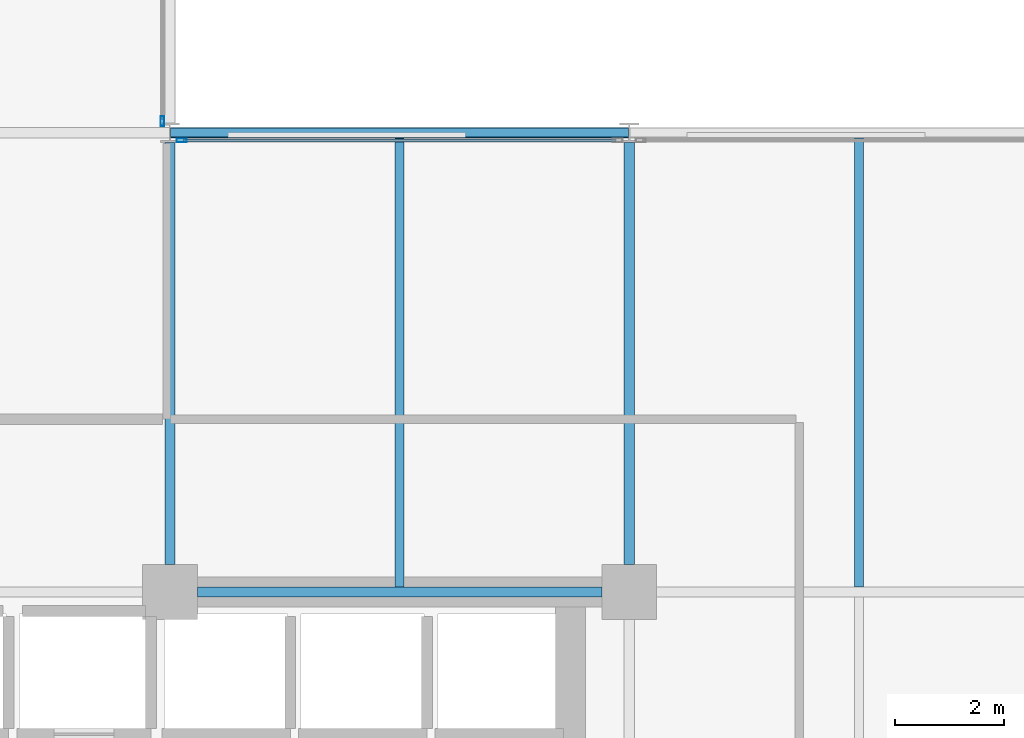
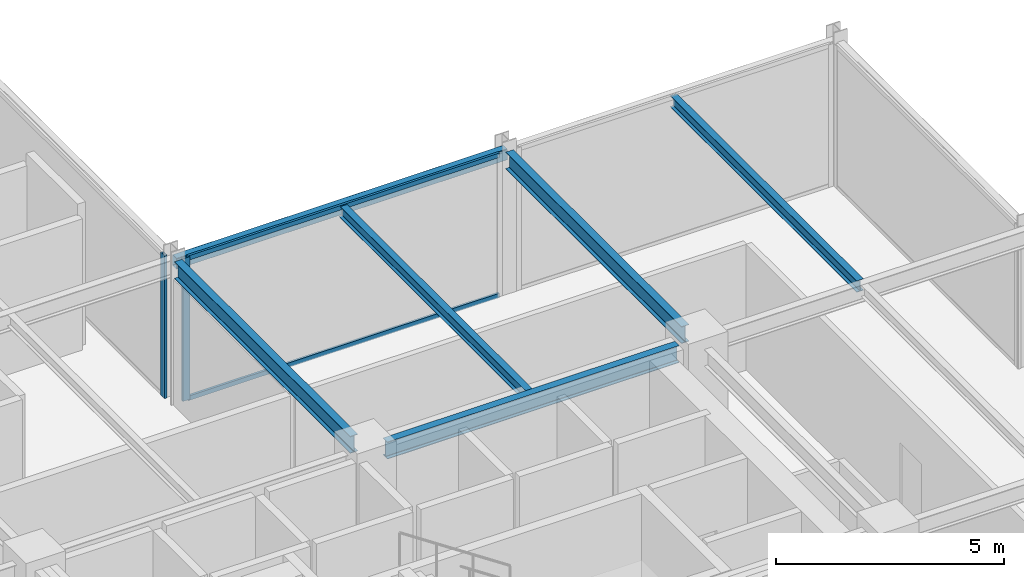
# One storey, part 14 of 29: 6 beams, 4 members, 2 elements without a shape of their own.
"""IFC4 building model written with IfcOpenShell, lengths in metres."""

from ifc_helpers import new_model, si_unit, direction, frame, origin, origin_2d, place, context, subcontext, project, spatial, hollow_rectangle, i_section, extrude, material, layer, layer_set, material_profile, profile_set, type_object, element, aggregate, save


model = new_model("IFC4")

# Units and contexts
model_context = context("Model", 3, precision=1e-05, world=origin(), true_north=direction((0.0, 1.0)))
body_context = subcontext(model_context, "Body", "Model", "MODEL_VIEW")
ifc_project = project(units=[si_unit("LENGTHUNIT", "METRE"), si_unit("AREAUNIT", "SQUARE_METRE"), si_unit("VOLUMEUNIT", "CUBIC_METRE"), si_unit("PLANEANGLEUNIT", "RADIAN"), si_unit("MASSUNIT", "GRAM", prefix="KILO")], contexts=[model_context])

# Site, building, storey
site_placement = place(None, origin())
site = spatial("IfcSite", under=ifc_project, at=site_placement, CompositionType="ELEMENT")
building_placement = place(site_placement, origin())
building = spatial("IfcBuilding", under=site, at=building_placement, Name="Nerrivon Quay Data Exchange", CompositionType="ELEMENT")
storey_placement = place(building_placement, frame((0.0, 0.0, 187.800048828125)))
storey = spatial("IfcBuildingStorey", under=building, at=storey_placement, Name="L44", CompositionType="ELEMENT", Elevation=187.800048828125)

# Beams
ifc_material_1 = material(Name="Steel Grade 350", Category="steel")
ifc_material_profile_1 = material_profile(ifc_material_1, i_section(OverallWidth=0.19091796875, OverallDepth=0.4599609375, WebThickness=0.010009765625, FlangeThickness=0.01611328125, FilletRadius=0.011474609375, at=origin_2d()), Name="460UB82.1")
ifc_profile_set_1 = profile_set([ifc_material_profile_1], Name="Steel Grade 350")
beam_type_1 = type_object("IfcBeamType", Name="BM-G5-460UB82", PredefinedType="BEAM", material=ifc_profile_set_1)
beam_1_placement = place(storey_placement, frame((25.699951171875, 16.800048828125, 3.594970703125), z_axis=(1.0, 0.0, 0.0), x_axis=(0.0, 1.0, 0.0)))
element("IfcBeam", 1, at=beam_1_placement, inside=storey, type_object=beam_type_1, Name="L44 EW Girder Y=16.8 (25.2..33.6)", PredefinedType="BEAM", context=body_context, shape_type="SweptSolid", body=[
    extrude(i_section(OverallWidth=0.19091796875, OverallDepth=0.4599609375, WebThickness=0.010009765625, FlangeThickness=0.01611328125, FilletRadius=0.011474609375, at=origin_2d()), origin(), (0.0, 0.0, 1.0), 7.400146484375),
])
ifc_material_profile_2 = material_profile(ifc_material_1, i_section(OverallWidth=0.18994140625, OverallDepth=0.4541015625, WebThickness=0.008544921875, FlangeThickness=0.0126953125, FilletRadius=0.011474609375, at=origin_2d()), Name="460UB67.1")
ifc_profile_set_2 = profile_set([ifc_material_profile_2], Name="Steel Grade 350")
beam_type_2 = type_object("IfcBeamType", Name="BM-G6-460UB67", PredefinedType="BEAM", material=ifc_profile_set_2)
for number, where, z_axis, x_axis, name in (
    (2, (25.199951171875, 17.300048828125, 3.597900390625), (0.0, 1.0, 0.0), (-1.0, 0.0, 0.0), "L44 NS Girder X=25.2 (16.8..25.2)"),
    (3, (33.60009765625, 17.300048828125, 3.597900390625), (0.0, 1.0, 0.0), (-1.0, 0.0, 0.0), "L44 NS Girder X=33.6 (16.8..25.2)"),
):
    element("IfcBeam", number, at=place(storey_placement, frame(where, z_axis=z_axis, x_axis=x_axis)), inside=storey, type_object=beam_type_2, Name=name, PredefinedType="BEAM", context=body_context, shape_type="SweptSolid", body=[
        extrude(i_section(OverallWidth=0.18994140625, OverallDepth=0.4541015625, WebThickness=0.008544921875, FlangeThickness=0.0126953125, FilletRadius=0.011474609375, at=origin_2d()), origin(), (0.0, 0.0, 1.0), 7.724853515625),
    ])
ifc_material_profile_3 = material_profile(ifc_material_1, i_section(OverallWidth=0.166015625, OverallDepth=0.306884765625, WebThickness=0.006591796875, FlangeThickness=0.01171875, FilletRadius=0.011474609375, at=origin_2d()), Name="310UB46.2")
ifc_profile_set_3 = profile_set([ifc_material_profile_3], Name="Steel Grade 350")
beam_type_3 = type_object("IfcBeamType", Name="BM-J5-310UB46", PredefinedType="JOIST", material=ifc_profile_set_3)
for number, where, z_axis, x_axis, name in (
    (4, (29.39990234375, 16.8955078125, 3.67138671875), (0.0, 1.0, 0.0), (-1.0, 0.0, 0.0), "L44 Secondary Joist X=29.4 (16.8..25.2)"),
    (5, (37.800048828125, 16.8955078125, 3.67138671875), (0.0, 1.0, 0.0), (-1.0, 0.0, 0.0), "L44 Secondary Joist X=37.8 (16.8..25.2)"),
):
    element("IfcBeam", number, at=place(storey_placement, frame(where, z_axis=z_axis, x_axis=x_axis)), inside=storey, type_object=beam_type_3, Name=name, PredefinedType="JOIST", context=body_context, shape_type="SweptSolid", body=[
        extrude(i_section(OverallWidth=0.166015625, OverallDepth=0.306884765625, WebThickness=0.006591796875, FlangeThickness=0.01171875, FilletRadius=0.011474609375, at=origin_2d()), origin(), (0.0, 0.0, 1.0), 8.20458984375),
    ])
ifc_material_2 = material(Name="Steel Grade C350L0 (350 MPa)", Category="steel")
ifc_material_profile_4 = material_profile(ifc_material_2, hollow_rectangle(XDim=0.199951171875, YDim=0.300048828125, WallThickness=0.012451171875, InnerFilletRadius=0.018798828125, OuterFilletRadius=0.03125, at=origin_2d()), Name="300x200x12.5RHS")
ifc_profile_set_4 = profile_set([ifc_material_profile_4], Name="Steel Grade C350L0 (350 MPa)")
beam_type_4 = type_object("IfcBeamType", Name="BM-SP3-300x200RHS", PredefinedType="SPANDREL", material=ifc_profile_set_4)
beam_2_placement = place(storey_placement, frame((25.2099609375, 25.199951171875, 3.675048828125), z_axis=(1.0, 0.0, 0.0), x_axis=(0.0, 1.0, 0.0)))
element("IfcBeam", 6, at=beam_2_placement, inside=storey, type_object=beam_type_4, Name="L44 EW Girder Y=25.2 (25.2..33.6)", PredefinedType="SPANDREL", context=body_context, shape_type="SweptSolid", body=[
    extrude(hollow_rectangle(XDim=0.199951171875, YDim=0.300048828125, WallThickness=0.012451171875, InnerFilletRadius=0.018798828125, OuterFilletRadius=0.03125, at=origin_2d()), origin(), (0.0, 0.0, 1.0), 8.380126953125),
])

# Curtain wall, member
ifc_material_3 = material(Name="Anodised aluminium 6063-T6", Category="aluminium")
ifc_layer = layer(ifc_material_3, 0.195068359375)
ifc_layer_set = layer_set([ifc_layer], Name="Anodised aluminium 6063-T6")
curtain_wall_type = type_object("IfcCurtainWallType", Name="CW-SYS-06", PredefinedType="NOTDEFINED", material=ifc_layer_set)
curtain_wall_1_placement = place(storey_placement, origin())
curtain_wall_1 = element("IfcCurtainWall", 7, at=curtain_wall_1_placement, inside=storey, type_object=curtain_wall_type, Name="L44 Unitised Curtain Wall 15", PredefinedType="NOTDEFINED")
ifc_material_profile_5 = material_profile(ifc_material_3, hollow_rectangle(XDim=0.06494140625, YDim=0.179931640625, WallThickness=0.00341796875, at=origin_2d()), Name="ALU-MULL-180x65")
ifc_profile_set_5 = profile_set([ifc_material_profile_5], Name="Anodised aluminium 6063-T6")
member_type_1 = type_object("IfcMemberType", Name="CWM-180x65", PredefinedType="MULLION", material=ifc_profile_set_5)
member_1_placement = place(storey_placement, frame((25.06005859375, 25.41259765625, 0.0), z_axis=(0.0, 0.0, 1.0), x_axis=(1.0, 0.0, 0.0)))
member_1 = element("IfcMember", 8, at=member_1_placement, type_object=member_type_1, Name="CW06 mullion 2", PredefinedType="MULLION", context=body_context, shape_type="SweptSolid", body=[
    extrude(hollow_rectangle(XDim=0.06494140625, YDim=0.179931640625, WallThickness=0.00341796875, at=origin_2d()), origin(), (0.0, 0.0, 1.0), 3.824951171875),
])
aggregate(curtain_wall_1, [member_1])

# Curtain wall, members
curtain_wall_2_placement = place(storey_placement, origin())
curtain_wall_2 = element("IfcCurtainWall", 9, at=curtain_wall_2_placement, inside=storey, type_object=curtain_wall_type, Name="L44 Unitised Curtain Wall 16", PredefinedType="NOTDEFINED")
member_2_placement = place(storey_placement, frame((25.41259765625, 25.06005859375, 0.0), z_axis=(0.0, 0.0, 1.0), x_axis=(0.0, 1.0, 0.0)))
member_2 = element("IfcMember", 10, at=member_2_placement, type_object=member_type_1, Name="CW06 mullion 1", PredefinedType="MULLION", context=body_context, shape_type="SweptSolid", body=[
    extrude(hollow_rectangle(XDim=0.06494140625, YDim=0.179931640625, WallThickness=0.00341796875, at=origin_2d()), origin(), (0.0, 0.0, 1.0), 3.824951171875),
])
ifc_material_profile_6 = material_profile(ifc_material_3, hollow_rectangle(XDim=0.06005859375, YDim=0.1201171875, WallThickness=0.003173828125, at=origin_2d()), Name="ALU-TRAN-120x60")
ifc_profile_set_6 = profile_set([ifc_material_profile_6], Name="Anodised aluminium 6063-T6")
member_type_2 = type_object("IfcMemberType", Name="CWT-120x60", PredefinedType="USERDEFINED", material=ifc_profile_set_6)
member_3_placement = place(storey_placement, frame((25.449951171875, 25.06005859375, 0.032470703125), z_axis=(1.0, 0.0, 0.0), x_axis=(0.0, 1.0, 0.0)))
member_3 = element("IfcMember", 11, at=member_3_placement, type_object=member_type_2, Name="CW06 transom 1.1", ObjectType="TRANSOM", PredefinedType="USERDEFINED", context=body_context, shape_type="SweptSolid", body=[
    extrude(hollow_rectangle(XDim=0.06005859375, YDim=0.1201171875, WallThickness=0.003173828125, at=origin_2d()), origin(), (0.0, 0.0, 1.0), 7.900146484375),
])
member_4_placement = place(storey_placement, frame((25.449951171875, 25.06005859375, 3.79248046875), z_axis=(1.0, 0.0, 0.0), x_axis=(0.0, 1.0, 0.0)))
member_4 = element("IfcMember", 12, at=member_4_placement, type_object=member_type_2, Name="CW06 transom 1.2", ObjectType="TRANSOM", PredefinedType="USERDEFINED", context=body_context, shape_type="SweptSolid", body=[
    extrude(hollow_rectangle(XDim=0.06005859375, YDim=0.1201171875, WallThickness=0.003173828125, at=origin_2d()), origin(), (0.0, 0.0, 1.0), 7.900146484375),
])
aggregate(curtain_wall_2, [member_2, member_3, member_4])

save(model, "model.ifc")
